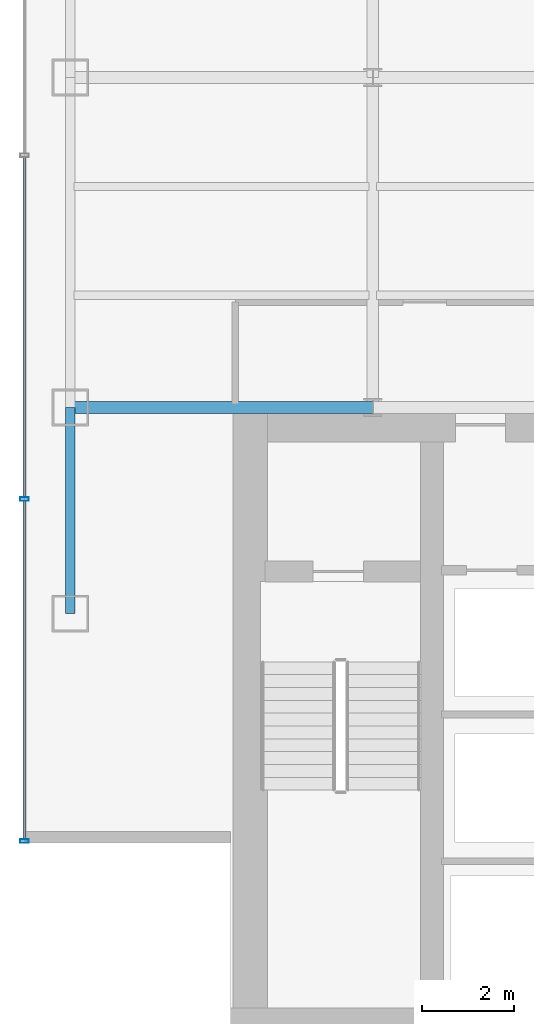
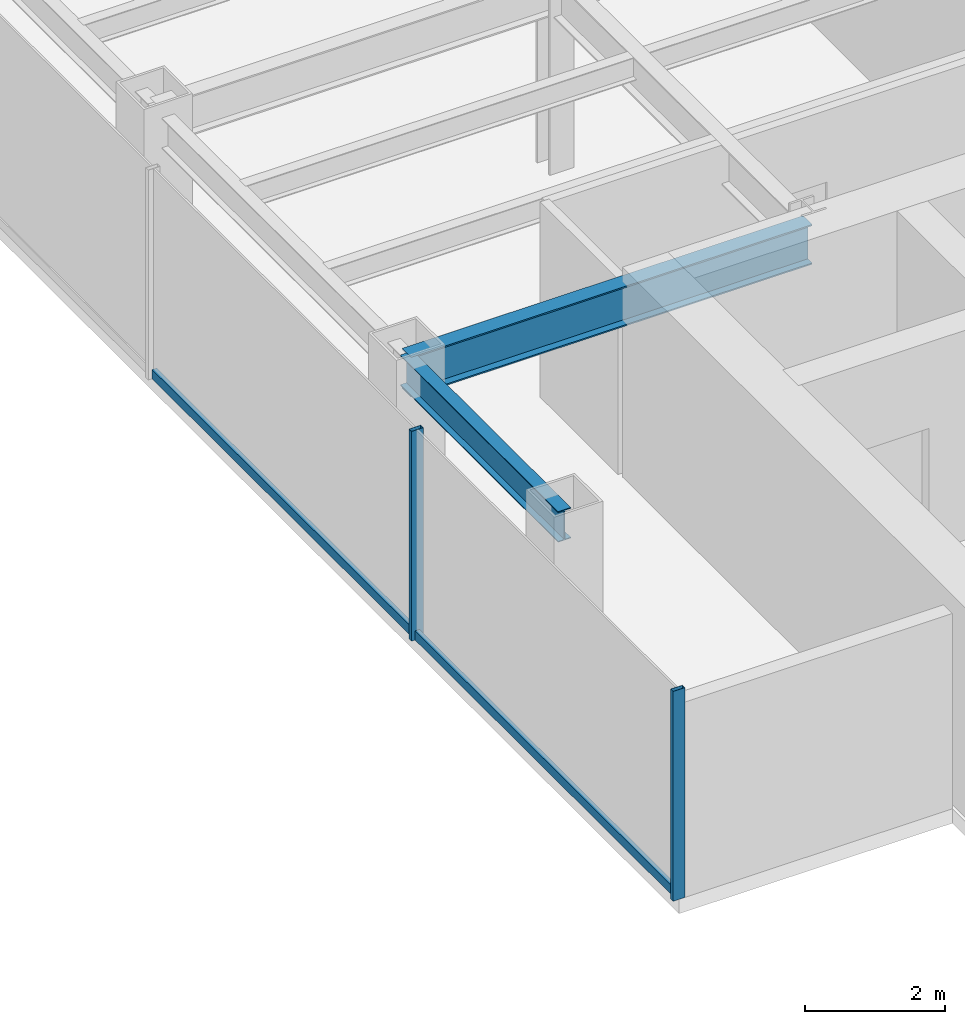
# One storey, part 2 of 26: 4 members, 2 beams, 1 element without a shape of its own.
"""IFC4 building model written with IfcOpenShell, lengths in metres."""

from ifc_helpers import new_model, si_unit, derived_unit, direction, frame, origin, origin_2d, place, context, subcontext, project, spatial, hollow_rectangle, i_section, extrude, source, transform, mapped, material, material_profile, profile_set, type_object, element, aggregate, save


model = new_model("IFC4")

# Units and contexts
model_context = context("Model", 3, precision=1e-05, world=origin(), true_north=direction((0.0, 1.0)))
body_context = subcontext(model_context, "Body", "Model", "MODEL_VIEW")
ifc_project = project(units=[si_unit("LENGTHUNIT", "METRE"), si_unit("AREAUNIT", "SQUARE_METRE"), si_unit("VOLUMEUNIT", "CUBIC_METRE"), si_unit("PLANEANGLEUNIT", "RADIAN"), si_unit("MASSUNIT", "GRAM", prefix="KILO"), derived_unit("THERMALTRANSMITTANCEUNIT", [(si_unit("POWERUNIT", "WATT"), 1), (si_unit("LENGTHUNIT", "METRE"), -2), (si_unit("THERMODYNAMICTEMPERATUREUNIT", "KELVIN"), -1)])], contexts=[model_context])

# Site, building, storey
site_placement = place(None, origin())
site = spatial("IfcSite", under=ifc_project, at=site_placement, CompositionType="ELEMENT")
building_placement = place(site_placement, origin())
building = spatial("IfcBuilding", under=site, at=building_placement, Name="Skarnbrae Concourse Arena and Tower", CompositionType="ELEMENT")
storey_placement = place(building_placement, frame((0.0, 0.0, 117.85009765625)))
storey = spatial("IfcBuildingStorey", under=building, at=storey_placement, Name="L29", CompositionType="ELEMENT", Elevation=117.85009765625)

# Beams
ifc_material_1 = material(Name="Steel CSA G40.21 350W", Category="steel")
ifc_material_profile_1 = material_profile(ifc_material_1, i_section(OverallWidth=0.256103515625, OverallDepth=0.693115234375, WebThickness=0.014404296875, FlangeThickness=0.023681640625, at=origin_2d()), Name="W690X170")
ifc_profile_set_1 = profile_set([ifc_material_profile_1], Name="Steel CSA G40.21 350W")
beam_type_1 = type_object("IfcBeamType", Name="BM-GIRD-W690X170", PredefinedType="BEAM", material=ifc_profile_set_1)
shared_shape_1 = source(origin(), body_context, "Body", "SweptSolid", [
    extrude(i_section(OverallWidth=0.256103515625, OverallDepth=0.693115234375, WebThickness=0.014404296875, FlangeThickness=0.023681640625, at=origin_2d()), origin(), (0.0, 0.0, 1.0), 6.60009765625),
])
beam_1_placement = place(storey_placement, frame((1.0, 14.0, 3.053466796875), z_axis=(1.0, 0.0, 0.0), x_axis=(0.0, 1.0, 0.0)))
element("IfcBeam", 1, at=beam_1_placement, inside=storey, type_object=beam_type_1, Name="L29 Primary E-W girder Y14.0-1", PredefinedType="BEAM", context=body_context, shape_type="MappedRepresentation", body=[
    mapped(shared_shape_1, transform((0.0, 0.0, 0.0))),
])
ifc_material_profile_2 = material_profile(ifc_material_1, i_section(OverallWidth=0.208984375, OverallDepth=0.532958984375, WebThickness=0.01025390625, FlangeThickness=0.015625, at=origin_2d()), Name="W530X92")
ifc_profile_set_2 = profile_set([ifc_material_profile_2], Name="Steel CSA G40.21 350W")
beam_type_2 = type_object("IfcBeamType", Name="BM-SPAN-W530X92", PredefinedType="SPANDREL", material=ifc_profile_set_2)
shared_shape_2 = source(origin(), body_context, "Body", "SweptSolid", [
    extrude(i_section(OverallWidth=0.208984375, OverallDepth=0.532958984375, WebThickness=0.01025390625, FlangeThickness=0.015625, at=origin_2d()), origin(), (0.0, 0.0, 1.0), 4.5),
])
beam_2_placement = place(storey_placement, frame((1.0, 9.5, 3.13330078125), z_axis=(0.0, 1.0, 0.0), x_axis=(-1.0, 0.0, 0.0)))
element("IfcBeam", 2, at=beam_2_placement, inside=storey, type_object=beam_type_2, Name="L29 Perimeter spandrel X1.0-1", PredefinedType="SPANDREL", context=body_context, shape_type="MappedRepresentation", body=[
    mapped(shared_shape_2, transform((0.0, 0.0, 0.0))),
])

# Curtain wall, members
ifc_material_2 = material(Name="Bronze anodised aluminium 6063-T6", Category="aluminium")
curtain_wall_type = type_object("IfcCurtainWallType", Name="CW-SYS-04-MIDZONE", PredefinedType="USERDEFINED", material=ifc_material_2)
curtain_wall_placement = place(storey_placement, origin())
curtain_wall = element("IfcCurtainWall", 3, at=curtain_wall_placement, inside=storey, type_object=curtain_wall_type, Name="L29 Unitised curtain wall CW-L29-E19", ObjectType="UNITISED CURTAIN WALL", PredefinedType="USERDEFINED")
ifc_material_profile_3 = material_profile(ifc_material_2, hollow_rectangle(XDim=0.074951171875, YDim=0.159912109375, WallThickness=0.00439453125, at=origin_2d()), Name="ALU-TRAN-75X160")
ifc_profile_set_3 = profile_set([ifc_material_profile_3], Name="Bronze anodised aluminium 6063-T6")
member_type_1 = type_object("IfcMemberType", Name="CWT-CW-04", PredefinedType="USERDEFINED", material=ifc_profile_set_3)
shared_shape_3 = source(origin(), body_context, "Body", "SweptSolid", [
    extrude(hollow_rectangle(XDim=0.074951171875, YDim=0.159912109375, WallThickness=0.00439453125, at=origin_2d()), origin(), (0.0, 0.0, 1.0), 7.387451171875),
])
member_1_placement = place(storey_placement, frame((0.0, 11.96240234375, 0.079833984375), z_axis=(0.0, -1.0, 0.0), x_axis=(1.0, 0.0, 0.0)))
member_1 = element("IfcMember", 4, at=member_1_placement, type_object=member_type_1, Name="CW-L29-E19 Transom 4", ObjectType="TRANSOM", PredefinedType="USERDEFINED", context=body_context, shape_type="MappedRepresentation", body=[
    mapped(shared_shape_3, transform((0.0, 0.0, 0.0))),
])
shared_shape_4 = source(origin(), body_context, "Body", "SweptSolid", [
    extrude(hollow_rectangle(XDim=0.074951171875, YDim=0.159912109375, WallThickness=0.00439453125, at=origin_2d()), origin(), (0.0, 0.0, 1.0), 7.4248046875),
])
member_2_placement = place(storey_placement, frame((0.0, 19.46240234375, 0.079833984375), z_axis=(0.0, -1.0, 0.0), x_axis=(1.0, 0.0, 0.0)))
member_2 = element("IfcMember", 5, at=member_2_placement, type_object=member_type_1, Name="CW-L29-E19 Transom 3", ObjectType="TRANSOM", PredefinedType="USERDEFINED", context=body_context, shape_type="MappedRepresentation", body=[
    mapped(shared_shape_4, transform((0.0, 0.0, 0.0))),
])
ifc_material_profile_4 = material_profile(ifc_material_2, hollow_rectangle(XDim=0.074951171875, YDim=0.195068359375, WallThickness=0.00439453125, at=origin_2d()), Name="ALU-MULL-75X195")
ifc_profile_set_4 = profile_set([ifc_material_profile_4], Name="Bronze anodised aluminium 6063-T6")
member_type_2 = type_object("IfcMemberType", Name="CWM-CW-04", PredefinedType="MULLION", material=ifc_profile_set_4)
shared_shape_5 = source(origin(), body_context, "Body", "SweptSolid", [
    extrude(hollow_rectangle(XDim=0.074951171875, YDim=0.195068359375, WallThickness=0.00439453125, at=origin_2d()), origin(), (0.0, 0.0, 1.0), 3.64990234375),
])
member_3_placement = place(storey_placement, frame((0.0, 12.0, 0.0), z_axis=(0.0, 0.0, 1.0), x_axis=(0.0, -1.0, 0.0)))
member_3 = element("IfcMember", 6, at=member_3_placement, type_object=member_type_2, Name="CW-L29-E19 Mullion 4", PredefinedType="MULLION", context=body_context, shape_type="MappedRepresentation", body=[
    mapped(shared_shape_5, transform((0.0, 0.0, 0.0))),
])
member_4_placement = place(storey_placement, frame((0.0, 4.53759765625, 0.0), z_axis=(0.0, 0.0, 1.0), x_axis=(0.0, -1.0, 0.0)))
member_4 = element("IfcMember", 7, at=member_4_placement, type_object=member_type_2, Name="CW-L29-E19 Mullion 5", PredefinedType="MULLION", context=body_context, shape_type="MappedRepresentation", body=[
    mapped(shared_shape_5, transform((0.0, 0.0, 0.0))),
])
aggregate(curtain_wall, [member_3, member_4, member_2, member_1])

save(model, "model.ifc")
